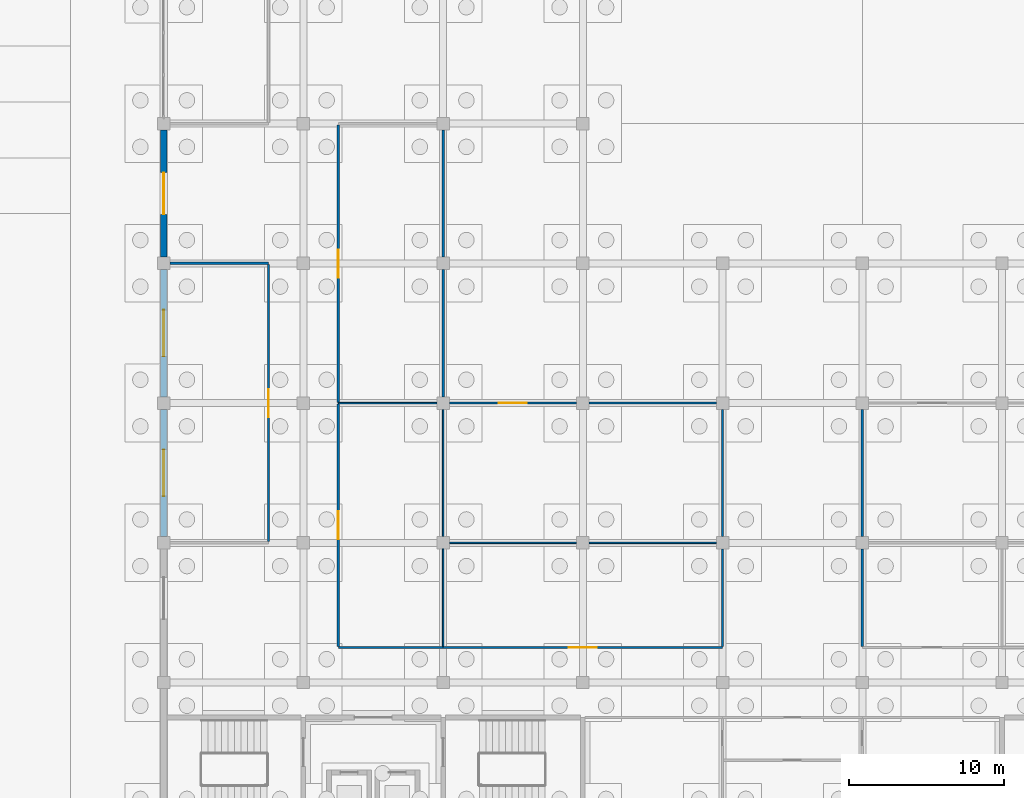
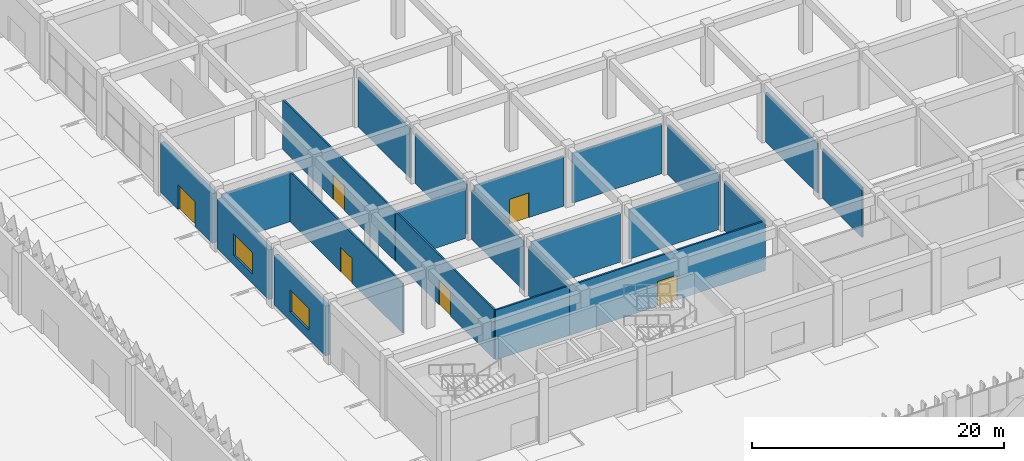
# One storey, part 102 of 198: 22 walls, 6 doors, 2 windows, 8 openings.
"""IFC4 building model written with IfcOpenShell, lengths in metres."""

from ifc_helpers import new_model, si_unit, direction, frame, frame_2d, origin, place, context, subcontext, project, spatial, rectangle, extrude, material, layer, layer_set, type_object, element, fill, save


model = new_model("IFC4")

# Units and contexts
model_context = context("Model", 3, precision=1e-05, world=origin(), true_north=direction((0.0, 1.0)))
body_context = subcontext(model_context, "Body", "Model", "MODEL_VIEW")
ifc_project = project(units=[si_unit("LENGTHUNIT", "METRE"), si_unit("AREAUNIT", "SQUARE_METRE"), si_unit("VOLUMEUNIT", "CUBIC_METRE"), si_unit("PLANEANGLEUNIT", "RADIAN"), si_unit("MASSUNIT", "GRAM", prefix="KILO")], contexts=[model_context])

# Site, building, storey
site_placement = place(None, origin())
site = spatial("IfcSite", under=ifc_project, at=site_placement, CompositionType="ELEMENT")
building_placement = place(site_placement, origin())
building = spatial("IfcBuilding", under=site, at=building_placement, Name="Opaline Strait Convention Centre", CompositionType="ELEMENT")
storey_placement = place(building_placement, origin())
storey = spatial("IfcBuildingStorey", under=building, at=storey_placement, Name="L00", CompositionType="ELEMENT", Elevation=0.0)

# Wall
ifc_material_1 = material(Name="Gypsum board")
ifc_layer_1 = layer(ifc_material_1, 0.032470703125)
ifc_material_2 = material(Name="Steel stud and mineral wool", Category="steel")
ifc_layer_2 = layer(ifc_material_2, 0.0849609375)
ifc_layer_3 = layer(ifc_material_1, 0.032470703125)
ifc_layer_set_1 = layer_set([ifc_layer_1, ifc_layer_2, ifc_layer_3], Name="Gypsum board, Steel stud and mineral wool, Gypsum board")
wall_type_1 = type_object("IfcWallType", Name="Corridor partition 150 EI60", PredefinedType="PARTITIONING", material=ifc_layer_set_1)
wall_1_placement = place(storey_placement, frame((279.39990234375, 126.0, 0.0), z_axis=(0.0, 0.0, 1.0), x_axis=(1.0, 0.0, 0.0)))
element("IfcWall", 1, at=wall_1_placement, inside=storey, type_object=wall_type_1, Name="MPW1 partition Cloakroom 0.02 N", PredefinedType="PARTITIONING", context=body_context, shape_type="SweptSolid", body=[
    extrude(rectangle(XDim=6.35009765625, YDim=0.14990234375, at=frame_2d((3.175048828125, 0.0))), origin(), (0.0, 0.0, 1.0), 4.820068359375),
])

# Wall, opening, door
wall_2_placement = place(storey_placement, frame((285.75, 108.074951171875, 0.0), z_axis=(0.0, 0.0, 1.0), x_axis=(0.0, 1.0, 0.0)))
wall_2 = element("IfcWall", 2, at=wall_2_placement, inside=storey, type_object=wall_type_1, Name="MPW1 partition Cloakroom 0.02 E", PredefinedType="PARTITIONING", context=body_context, shape_type="SweptSolid", body=[
    extrude(rectangle(XDim=17.85009765625, YDim=0.14990234375, at=frame_2d((8.925048828125, 0.0))), origin(), (0.0, 0.0, 1.0), 4.820068359375),
])
opening_1_placement = place(wall_2_placement, frame((8.025146484375, 0.0, 0.0)))
opening_1 = element("IfcOpeningElement", 3, at=opening_1_placement, cuts=wall_2, Name="Opening M0-038", PredefinedType="OPENING", context=body_context, shape_type="SweptSolid", body=[
    extrude(rectangle(XDim=1.800048828125, YDim=2.39990234375, at=frame_2d((0.89990234375, 1.199951171875))), frame((0.0, 0.0849609375, 0.0), z_axis=(0.0, -1.0, 0.0), x_axis=(1.0, 0.0, 0.0)), (0.0, 0.0, 1.0), 0.169921875),
])
ifc_material_3 = material(Name="Solid-core timber leaf, steel frame door set", Category="steel")
door_type_1 = type_object("IfcDoorType", Name="Meeting room double door FD30 1800 x 2400", OperationType="DOUBLE_DOOR_SINGLE_SWING", PredefinedType="DOOR", material=ifc_material_3)
door_1_placement = place(opening_1_placement, frame((1.800048828125, 0.0, 0.0), z_axis=(0.0, 0.0, 1.0), x_axis=(-1.0, 0.0, 0.0)))
door_1 = element("IfcDoor", 4, at=door_1_placement, inside=storey, type_object=door_type_1, Name="Door Cloakroom 0.02", ObjectType="MD7", OperationType="DOUBLE_DOOR_SINGLE_SWING", OverallHeight=2.39990234375, OverallWidth=1.800048828125, PredefinedType="DOOR", context=body_context, shape_type="SweptSolid", body=[
    extrude(rectangle(XDim=1.800048828125, YDim=2.39990234375, at=frame_2d((0.89990234375, 1.199951171875))), frame((0.0, 0.02490234375, 0.0), z_axis=(0.0, -1.0, 0.0), x_axis=(1.0, 0.0, 0.0)), (0.0, 0.0, 1.0), 0.050048828125),
])
fill(opening_1, door_1)

# Wall
wall_3_placement = place(storey_placement, frame((290.25, 101.25, 0.0), z_axis=(0.0, 0.0, 1.0), x_axis=(1.0, 0.0, 0.0)))
element("IfcWall", 5, at=wall_3_placement, inside=storey, type_object=wall_type_1, Name="MPW1 partition Information Desk 0.07 S", PredefinedType="PARTITIONING", context=body_context, shape_type="SweptSolid", body=[
    extrude(rectangle(XDim=6.75, YDim=0.14990234375, at=frame_2d((3.375, 0.0))), origin(), (0.0, 0.0, 1.0), 4.820068359375),
])

# Wall, opening, door
wall_4_placement = place(storey_placement, frame((290.25, 101.324951171875, 0.0), z_axis=(0.0, 0.0, 1.0), x_axis=(0.0, 1.0, 0.0)))
wall_4 = element("IfcWall", 6, at=wall_4_placement, inside=storey, type_object=wall_type_1, Name="MPW1 partition Information Desk 0.07 W", PredefinedType="PARTITIONING", context=body_context, shape_type="SweptSolid", body=[
    extrude(rectangle(XDim=15.625, YDim=0.14990234375, at=frame_2d((7.8125, 0.0))), origin(), (0.0, 0.0, 1.0), 4.820068359375),
])
opening_2_placement = place(wall_4_placement, frame((6.91259765625, 0.0, 0.0)))
opening_2 = element("IfcOpeningElement", 7, at=opening_2_placement, cuts=wall_4, Name="Opening M0-041", PredefinedType="OPENING", context=body_context, shape_type="SweptSolid", body=[
    extrude(rectangle(XDim=1.800048828125, YDim=2.39990234375, at=frame_2d((0.89990234375, 1.199951171875))), frame((0.0, 0.0849609375, 0.0), z_axis=(0.0, -1.0, 0.0), x_axis=(1.0, 0.0, 0.0)), (0.0, 0.0, 1.0), 0.169921875),
])
door_2_placement = place(opening_2_placement, origin())
door_2 = element("IfcDoor", 8, at=door_2_placement, inside=storey, type_object=door_type_1, Name="Door Information Desk 0.07", ObjectType="MD7", OperationType="DOUBLE_DOOR_SINGLE_SWING", OverallHeight=2.39990234375, OverallWidth=1.800048828125, PredefinedType="DOOR", context=body_context, shape_type="SweptSolid", body=[
    extrude(rectangle(XDim=1.800048828125, YDim=2.39990234375, at=frame_2d((0.89990234375, 1.199951171875))), frame((0.0, 0.02490234375, 0.0), z_axis=(0.0, -1.0, 0.0), x_axis=(1.0, 0.0, 0.0)), (0.0, 0.0, 1.0), 0.050048828125),
])
fill(opening_2, door_2)

wall_5_placement = place(storey_placement, frame((290.25, 117.050048828125, 0.0), z_axis=(0.0, 0.0, 1.0), x_axis=(0.0, 1.0, 0.0)))
wall_5 = element("IfcWall", 9, at=wall_5_placement, inside=storey, type_object=wall_type_1, Name="MPW1 partition Press Room 0.08 W", PredefinedType="PARTITIONING", context=body_context, shape_type="SweptSolid", body=[
    extrude(rectangle(XDim=17.875, YDim=0.14990234375, at=frame_2d((8.9375, 0.0))), origin(), (0.0, 0.0, 1.0), 4.820068359375),
])
opening_3_placement = place(wall_5_placement, frame((8.03759765625, 0.0, 0.0)))
opening_3 = element("IfcOpeningElement", 10, at=opening_3_placement, cuts=wall_5, Name="Opening M0-042", PredefinedType="OPENING", context=body_context, shape_type="SweptSolid", body=[
    extrude(rectangle(XDim=1.800048828125, YDim=2.39990234375, at=frame_2d((0.89990234375, 1.199951171875))), frame((0.0, 0.0849609375, 0.0), z_axis=(0.0, -1.0, 0.0), x_axis=(1.0, 0.0, 0.0)), (0.0, 0.0, 1.0), 0.169921875),
])
door_3_placement = place(opening_3_placement, origin())
door_3 = element("IfcDoor", 11, at=door_3_placement, inside=storey, type_object=door_type_1, Name="Door Press Room 0.08", ObjectType="MD7", OperationType="DOUBLE_DOOR_SINGLE_SWING", OverallHeight=2.39990234375, OverallWidth=1.800048828125, PredefinedType="DOOR", context=body_context, shape_type="SweptSolid", body=[
    extrude(rectangle(XDim=1.800048828125, YDim=2.39990234375, at=frame_2d((0.89990234375, 1.199951171875))), frame((0.0, 0.02490234375, 0.0), z_axis=(0.0, -1.0, 0.0), x_axis=(1.0, 0.0, 0.0)), (0.0, 0.0, 1.0), 0.050048828125),
])
fill(opening_3, door_3)

# Walls
for number, where, z_axis, x_axis, name in (
    (12, (297.0, 117.39990234375, 0.0), (0.0, 0.0, 1.0), (0.0, 1.0, 0.0), "MPW1 partition Press Room 0.08 E"),
    (13, (297.0, 126.39990234375, 0.0), (0.0, 0.0, 1.0), (0.0, 1.0, 0.0), "MPW1 partition Press Room 0.08 E"),
):
    element("IfcWall", number, at=place(storey_placement, frame(where, z_axis=z_axis, x_axis=x_axis)), inside=storey, type_object=wall_type_1, Name=name, PredefinedType="PARTITIONING", context=body_context, shape_type="SweptSolid", body=[
        extrude(rectangle(XDim=8.2001953125, YDim=0.14990234375, at=frame_2d((4.10009765625, 0.0))), origin(), (0.0, 0.0, 1.0), 4.820068359375),
    ])

# Wall, opening, door
wall_6_placement = place(storey_placement, frame((297.0, 101.25, 0.0), z_axis=(0.0, 0.0, 1.0), x_axis=(1.0, 0.0, 0.0)))
wall_6 = element("IfcWall", 14, at=wall_6_placement, inside=storey, type_object=wall_type_1, Name="MPW1 partition Business Services Desk 0.12 S", PredefinedType="PARTITIONING", context=body_context, shape_type="SweptSolid", body=[
    extrude(rectangle(XDim=18.0, YDim=0.14990234375, at=frame_2d((9.0, 0.0))), origin(), (0.0, 0.0, 1.0), 4.820068359375),
])
opening_4_placement = place(wall_6_placement, frame((8.10009765625, 0.0, 0.0)))
opening_4 = element("IfcOpeningElement", 15, at=opening_4_placement, cuts=wall_6, Name="Opening M0-046", PredefinedType="OPENING", context=body_context, shape_type="SweptSolid", body=[
    extrude(rectangle(XDim=1.800048828125, YDim=2.39990234375, at=frame_2d((0.89990234375, 1.199951171875))), frame((0.0, 0.0849609375, 0.0), z_axis=(0.0, -1.0, 0.0), x_axis=(1.0, 0.0, 0.0)), (0.0, 0.0, 1.0), 0.169921875),
])
door_4_placement = place(opening_4_placement, frame((1.800048828125, 0.0, 0.0), z_axis=(0.0, 0.0, 1.0), x_axis=(-1.0, 0.0, 0.0)))
door_4 = element("IfcDoor", 16, at=door_4_placement, inside=storey, type_object=door_type_1, Name="Door Business Services Desk 0.12", ObjectType="MD7", OperationType="DOUBLE_DOOR_SINGLE_SWING", OverallHeight=2.39990234375, OverallWidth=1.800048828125, PredefinedType="DOOR", context=body_context, shape_type="SweptSolid", body=[
    extrude(rectangle(XDim=1.800048828125, YDim=2.39990234375, at=frame_2d((0.89990234375, 1.199951171875))), frame((0.0, 0.02490234375, 0.0), z_axis=(0.0, -1.0, 0.0), x_axis=(1.0, 0.0, 0.0)), (0.0, 0.0, 1.0), 0.050048828125),
])
fill(opening_4, door_4)

# Wall
wall_7_placement = place(storey_placement, frame((315.0, 101.324951171875, 0.0), z_axis=(0.0, 0.0, 1.0), x_axis=(0.0, 1.0, 0.0)))
element("IfcWall", 17, at=wall_7_placement, inside=storey, type_object=wall_type_1, Name="MPW1 partition Business Services Desk 0.12 E", PredefinedType="PARTITIONING", context=body_context, shape_type="SweptSolid", body=[
    extrude(rectangle(XDim=6.275146484375, YDim=0.14990234375, at=frame_2d((3.1376953125, 0.0))), origin(), (0.0, 0.0, 1.0), 4.820068359375),
])

# Wall, opening, door
wall_8_placement = place(storey_placement, frame((297.39990234375, 117.0, 0.0), z_axis=(0.0, 0.0, 1.0), x_axis=(1.0, 0.0, 0.0)))
wall_8 = element("IfcWall", 18, at=wall_8_placement, inside=storey, type_object=wall_type_1, Name="MPW1 partition Cloakroom 0.16 N", PredefinedType="PARTITIONING", context=body_context, shape_type="SweptSolid", body=[
    extrude(rectangle(XDim=8.2001953125, YDim=0.14990234375, at=frame_2d((4.10009765625, 0.0))), origin(), (0.0, 0.0, 1.0), 4.820068359375),
])
opening_5_placement = place(wall_8_placement, frame((3.2001953125, 0.0, 0.0)))
opening_5 = element("IfcOpeningElement", 19, at=opening_5_placement, cuts=wall_8, Name="Opening M0-050", PredefinedType="OPENING", context=body_context, shape_type="SweptSolid", body=[
    extrude(rectangle(XDim=1.800048828125, YDim=2.39990234375, at=frame_2d((0.89990234375, 1.199951171875))), frame((0.0, 0.0849609375, 0.0), z_axis=(0.0, -1.0, 0.0), x_axis=(1.0, 0.0, 0.0)), (0.0, 0.0, 1.0), 0.169921875),
])
door_5_placement = place(opening_5_placement, origin())
door_5 = element("IfcDoor", 20, at=door_5_placement, inside=storey, type_object=door_type_1, Name="Door Cloakroom 0.16", ObjectType="MD7", OperationType="DOUBLE_DOOR_SINGLE_SWING", OverallHeight=2.39990234375, OverallWidth=1.800048828125, PredefinedType="DOOR", context=body_context, shape_type="SweptSolid", body=[
    extrude(rectangle(XDim=1.800048828125, YDim=2.39990234375, at=frame_2d((0.89990234375, 1.199951171875))), frame((0.0, 0.02490234375, 0.0), z_axis=(0.0, -1.0, 0.0), x_axis=(1.0, 0.0, 0.0)), (0.0, 0.0, 1.0), 0.050048828125),
])
fill(opening_5, door_5)

# Walls
for number, where, z_axis, x_axis, name in (
    (21, (306.39990234375, 117.0, 0.0), (0.0, 0.0, 1.0), (1.0, 0.0, 0.0), "MPW1 partition Cloakroom 0.16 N"),
    (22, (315.0, 108.39990234375, 0.0), (0.0, 0.0, 1.0), (0.0, 1.0, 0.0), "MPW1 partition Cloakroom 0.16 E"),
    (23, (324.0, 108.39990234375, 0.0), (0.0, 0.0, 1.0), (0.0, 1.0, 0.0), "MPW1 partition Delegate Lounge 0.17 W"),
):
    element("IfcWall", number, at=place(storey_placement, frame(where, z_axis=z_axis, x_axis=x_axis)), inside=storey, type_object=wall_type_1, Name=name, PredefinedType="PARTITIONING", context=body_context, shape_type="SweptSolid", body=[
        extrude(rectangle(XDim=8.2001953125, YDim=0.14990234375, at=frame_2d((4.10009765625, 0.0))), origin(), (0.0, 0.0, 1.0), 4.820068359375),
    ])

# Wall, opening, window
ifc_material_4 = material(Name="Concrete C40 precast", Category="concrete")
ifc_layer_4 = layer(ifc_material_4, 0.10009765625)
ifc_material_5 = material(Name="Mineral wool insulation")
ifc_layer_5 = layer(ifc_material_5, 0.14990234375)
ifc_layer_6 = layer(ifc_material_4, 0.14990234375)
ifc_layer_set_2 = layer_set([ifc_layer_4, ifc_layer_5, ifc_layer_6], Name="Concrete C40 precast, Mineral wool insulation, Concrete C40 precast")
wall_type_2 = type_object("IfcWallType", Name="External wall 400 insulated precast EI60", PredefinedType="STANDARD", material=ifc_layer_set_2)
wall_9_placement = place(storey_placement, frame((279.0, 108.39990234375, 0.0), z_axis=(0.0, 0.0, 1.0), x_axis=(0.0, 1.0, 0.0)))
wall_9 = element("IfcWall", 24, at=wall_9_placement, inside=storey, type_object=wall_type_2, Name="External wall W L00 32/N", PredefinedType="STANDARD", context=body_context, shape_type="SweptSolid", body=[
    extrude(rectangle(XDim=8.2001953125, YDim=0.39990234375, at=frame_2d((4.10009765625, 0.0))), origin(), (0.0, 0.0, 1.0), 4.820068359375),
])
opening_6_placement = place(wall_9_placement, frame((2.60009765625, 0.0, 0.89990234375)))
opening_6 = element("IfcOpeningElement", 25, at=opening_6_placement, cuts=wall_9, Name="Opening MW2", PredefinedType="OPENING", context=body_context, shape_type="SweptSolid", body=[
    extrude(rectangle(XDim=3.0, YDim=2.10009765625, at=frame_2d((1.5, 1.050048828125))), frame((0.0, 0.2099609375, 0.0), z_axis=(0.0, -1.0, 0.0), x_axis=(1.0, 0.0, 0.0)), (0.0, 0.0, 1.0), 0.419921875),
])
ifc_material_6 = material(Name="Aluminium framed double glazing", Category="aluminium")
window_type = type_object("IfcWindowType", Name="Window 3000 x 2100", PartitioningType="TRIPLE_PANEL_VERTICAL", PredefinedType="WINDOW", material=ifc_material_6)
window_1_placement = place(opening_6_placement, origin())
window_1 = element("IfcWindow", 26, at=window_1_placement, inside=storey, type_object=window_type, Name="Window Cloakroom 0.02 W", OverallHeight=2.10009765625, OverallWidth=3.0, PartitioningType="TRIPLE_PANEL_VERTICAL", PredefinedType="WINDOW", context=body_context, shape_type="SweptSolid", body=[
    extrude(rectangle(XDim=3.0, YDim=2.10009765625, at=frame_2d((1.5, 1.050048828125))), frame((0.0, 0.030029296875, 0.0), z_axis=(0.0, -1.0, 0.0), x_axis=(1.0, 0.0, 0.0)), (0.0, 0.0, 1.0), 0.06005859375),
])
fill(opening_6, window_1)

wall_10_placement = place(storey_placement, frame((279.0, 117.39990234375, 0.0), z_axis=(0.0, 0.0, 1.0), x_axis=(0.0, 1.0, 0.0)))
wall_10 = element("IfcWall", 27, at=wall_10_placement, inside=storey, type_object=wall_type_2, Name="External wall W L00 32/P", PredefinedType="STANDARD", context=body_context, shape_type="SweptSolid", body=[
    extrude(rectangle(XDim=8.2001953125, YDim=0.39990234375, at=frame_2d((4.10009765625, 0.0))), origin(), (0.0, 0.0, 1.0), 4.820068359375),
])
opening_7_placement = place(wall_10_placement, frame((2.60009765625, 0.0, 0.89990234375)))
opening_7 = element("IfcOpeningElement", 28, at=opening_7_placement, cuts=wall_10, Name="Opening MW2", PredefinedType="OPENING", context=body_context, shape_type="SweptSolid", body=[
    extrude(rectangle(XDim=3.0, YDim=2.10009765625, at=frame_2d((1.5, 1.050048828125))), frame((0.0, 0.2099609375, 0.0), z_axis=(0.0, -1.0, 0.0), x_axis=(1.0, 0.0, 0.0)), (0.0, 0.0, 1.0), 0.419921875),
])
window_2_placement = place(opening_7_placement, origin())
window_2 = element("IfcWindow", 29, at=window_2_placement, inside=storey, type_object=window_type, Name="Window Cloakroom 0.02 W", OverallHeight=2.10009765625, OverallWidth=3.0, PartitioningType="TRIPLE_PANEL_VERTICAL", PredefinedType="WINDOW", context=body_context, shape_type="SweptSolid", body=[
    extrude(rectangle(XDim=3.0, YDim=2.10009765625, at=frame_2d((1.5, 1.050048828125))), frame((0.0, 0.030029296875, 0.0), z_axis=(0.0, -1.0, 0.0), x_axis=(1.0, 0.0, 0.0)), (0.0, 0.0, 1.0), 0.06005859375),
])
fill(opening_7, window_2)

# Wall, opening, door
wall_11_placement = place(storey_placement, frame((279.0, 126.39990234375, 0.0), z_axis=(0.0, 0.0, 1.0), x_axis=(0.0, 1.0, 0.0)))
wall_11 = element("IfcWall", 30, at=wall_11_placement, inside=storey, type_object=wall_type_2, Name="External wall W L00 32/Q", PredefinedType="STANDARD", context=body_context, shape_type="SweptSolid", body=[
    extrude(rectangle(XDim=8.2001953125, YDim=0.39990234375, at=frame_2d((4.10009765625, 0.0))), origin(), (0.0, 0.0, 1.0), 4.820068359375),
])
opening_8_placement = place(wall_11_placement, frame((2.75, 0.0, 0.0)))
opening_8 = element("IfcOpeningElement", 31, at=opening_8_placement, cuts=wall_11, Name="Opening M0-013", PredefinedType="OPENING", context=body_context, shape_type="SweptSolid", body=[
    extrude(rectangle(XDim=2.699951171875, YDim=2.39990234375, at=frame_2d((1.35009765625, 1.199951171875))), frame((0.0, 0.2099609375, 0.0), z_axis=(0.0, -1.0, 0.0), x_axis=(1.0, 0.0, 0.0)), (0.0, 0.0, 1.0), 0.419921875),
])
ifc_material_7 = material(Name="Fire-resisting glazed aluminium door", Category="aluminium")
door_type_2 = type_object("IfcDoorType", Name="Exit double door FD60 2700 x 2400", OperationType="DOUBLE_DOOR_SINGLE_SWING", PredefinedType="DOOR", material=ifc_material_7)
door_6_placement = place(opening_8_placement, origin())
door_6 = element("IfcDoor", 32, at=door_6_placement, inside=storey, type_object=door_type_2, Name="Exit door Exit Lobby 0.03", ObjectType="MD3", OperationType="DOUBLE_DOOR_SINGLE_SWING", OverallHeight=2.39990234375, OverallWidth=2.699951171875, PredefinedType="DOOR", context=body_context, shape_type="SweptSolid", body=[
    extrude(rectangle(XDim=2.699951171875, YDim=2.39990234375, at=frame_2d((1.35009765625, 1.199951171875))), frame((0.0, 0.02490234375, 0.0), z_axis=(0.0, -1.0, 0.0), x_axis=(1.0, 0.0, 0.0)), (0.0, 0.0, 1.0), 0.050048828125),
])
fill(opening_8, door_6)

# Walls
ifc_layer_7 = layer(ifc_material_1, 0.032470703125)
ifc_layer_8 = layer(ifc_material_2, 0.0849609375)
ifc_layer_9 = layer(ifc_material_1, 0.032470703125)
ifc_layer_set_3 = layer_set([ifc_layer_7, ifc_layer_8, ifc_layer_9], Name="Gypsum board, Steel stud and mineral wool, Gypsum board")
wall_type_3 = type_object("IfcWallType", Name="Plant room partition 150 EI120", PredefinedType="PARTITIONING", material=ifc_layer_set_3)
wall_12_placement = place(storey_placement, frame((324.0, 101.324951171875, 0.0), z_axis=(0.0, 0.0, 1.0), x_axis=(0.0, 1.0, 0.0)))
element("IfcWall", 33, at=wall_12_placement, inside=storey, type_object=wall_type_3, Name="MPW3 partition Comms Room 0.13 W", PredefinedType="PARTITIONING", context=body_context, shape_type="SweptSolid", body=[
    extrude(rectangle(XDim=6.275146484375, YDim=0.14990234375, at=frame_2d((3.1376953125, 0.0))), origin(), (0.0, 0.0, 1.0), 4.820068359375),
])
ifc_layer_10 = layer(ifc_material_1, 0.012451171875)
ifc_layer_11 = layer(ifc_material_2, 0.074951171875)
ifc_layer_12 = layer(ifc_material_1, 0.012451171875)
ifc_layer_set_4 = layer_set([ifc_layer_10, ifc_layer_11, ifc_layer_12], Name="Gypsum board, Steel stud and mineral wool, Gypsum board")
wall_type_4 = type_object("IfcWallType", Name="Room partition 100 EI45", PredefinedType="PARTITIONING", material=ifc_layer_set_4)
wall_13_placement = place(storey_placement, frame((290.25, 117.0, 0.0), z_axis=(0.0, 0.0, 1.0), x_axis=(1.0, 0.0, 0.0)))
element("IfcWall", 34, at=wall_13_placement, inside=storey, type_object=wall_type_4, Name="MPW2 partition Information Desk 0.07 N", PredefinedType="PARTITIONING", context=body_context, shape_type="SweptSolid", body=[
    extrude(rectangle(XDim=6.35009765625, YDim=0.10009765625, at=frame_2d((3.175048828125, 0.0))), origin(), (0.0, 0.0, 1.0), 4.820068359375),
])
wall_14_placement = place(storey_placement, frame((297.0, 101.324951171875, 0.0), z_axis=(0.0, 0.0, 1.0), x_axis=(0.0, 1.0, 0.0)))
element("IfcWall", 35, at=wall_14_placement, inside=storey, type_object=wall_type_4, Name="MPW2 partition Information Desk 0.07 E", PredefinedType="PARTITIONING", context=body_context, shape_type="SweptSolid", body=[
    extrude(rectangle(XDim=6.275146484375, YDim=0.10009765625, at=frame_2d((3.1376953125, 0.0))), origin(), (0.0, 0.0, 1.0), 4.820068359375),
])
for number, where, z_axis, x_axis, name in (
    (36, (297.0, 108.39990234375, 0.0), (0.0, 0.0, 1.0), (0.0, 1.0, 0.0), "MPW2 partition Information Desk 0.07 E"),
    (37, (297.39990234375, 108.0, 0.0), (0.0, 0.0, 1.0), (1.0, 0.0, 0.0), "MPW2 partition Business Services Desk 0.12 N"),
    (38, (306.39990234375, 108.0, 0.0), (0.0, 0.0, 1.0), (1.0, 0.0, 0.0), "MPW2 partition Business Services Desk 0.12 N"),
):
    element("IfcWall", number, at=place(storey_placement, frame(where, z_axis=z_axis, x_axis=x_axis)), inside=storey, type_object=wall_type_4, Name=name, PredefinedType="PARTITIONING", context=body_context, shape_type="SweptSolid", body=[
        extrude(rectangle(XDim=8.2001953125, YDim=0.10009765625, at=frame_2d((4.10009765625, 0.0))), origin(), (0.0, 0.0, 1.0), 4.820068359375),
    ])

save(model, "model.ifc")
